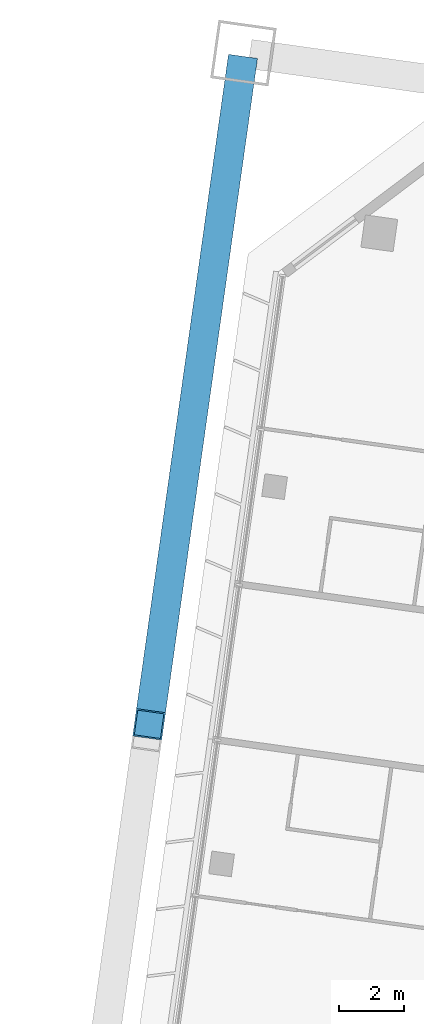
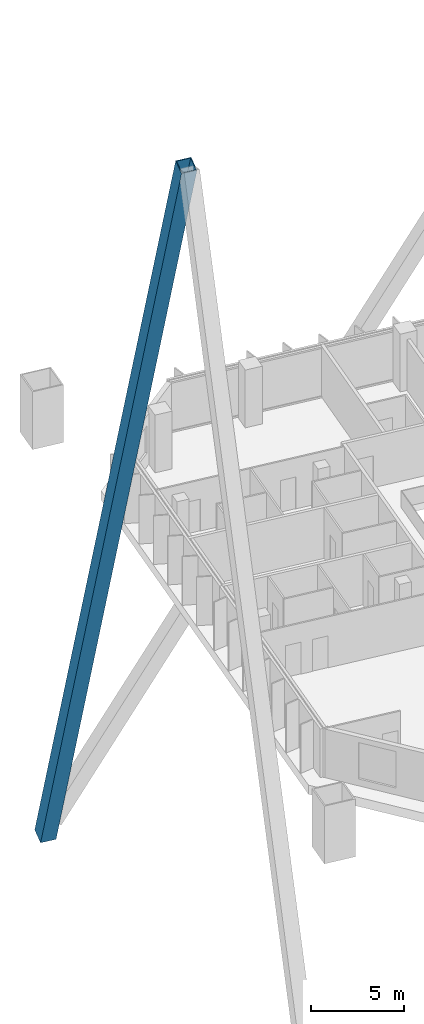
# One storey, part 7 of 49: 1 member.
"""IFC4 building model written with IfcOpenShell, lengths in metres."""

from ifc_helpers import new_model, si_unit, direction, frame, origin, origin_2d, place, context, subcontext, project, spatial, hollow_rectangle, extrude, material, material_profile, profile_set, type_object, element, save


model = new_model("IFC4")

# Units and contexts
model_context = context("Model", 3, precision=1e-05, world=origin(), true_north=direction((0.0, 1.0)))
body_context = subcontext(model_context, "Body", "Model", "MODEL_VIEW")
ifc_project = project(units=[si_unit("LENGTHUNIT", "METRE"), si_unit("AREAUNIT", "SQUARE_METRE"), si_unit("VOLUMEUNIT", "CUBIC_METRE"), si_unit("PLANEANGLEUNIT", "RADIAN"), si_unit("MASSUNIT", "GRAM", prefix="KILO")], contexts=[model_context])

# Site, building, storey
site_placement = place(None, origin())
site = spatial("IfcSite", under=ifc_project, at=site_placement, CompositionType="ELEMENT")
building_placement = place(site_placement, origin())
building = spatial("IfcBuilding", under=site, at=building_placement, Name="Mirante Cascada Hotel Towers", CompositionType="ELEMENT")
storey_placement = place(building_placement, frame((0.0, 0.0, 66.1)))
storey = spatial("IfcBuildingStorey", under=building, at=storey_placement, Name="L13", CompositionType="ELEMENT", Elevation=66.1)

# Member
ifc_material = material(Name="Steel ASTM A572 Gr 50", Category="steel")
ifc_material_profile = material_profile(ifc_material, hollow_rectangle(XDim=0.9, YDim=0.9, WallThickness=0.045, at=origin_2d()), Name="Box brace 900x900x45 ASTM A572 Gr 50")
ifc_profile_set = profile_set([ifc_material_profile], Name="Steel ASTM A572 Gr 50")
member_type = type_object("IfcMemberType", Name="Box brace 900x900x45 ASTM A572 Gr 50", PredefinedType="BRACE", material=ifc_profile_set)
member_placement = place(storey_placement, frame((-100.4304, 28.5737, -25.815), z_axis=(-0.0465147, -0.3309699, 0.9424942), x_axis=(0.9902681, -0.1391729, 0.0)))
element("IfcMember", 1, at=member_placement, inside=storey, type_object=member_type, Name="brace T1 L13 8", PredefinedType="BRACE", context=body_context, shape_type="SweptSolid", body=[
    extrude(hollow_rectangle(XDim=0.9, YDim=0.9, WallThickness=0.045, at=origin_2d()), origin(), (0.0, 0.0, 1.0), 60.7055),
])

save(model, "model.ifc")
